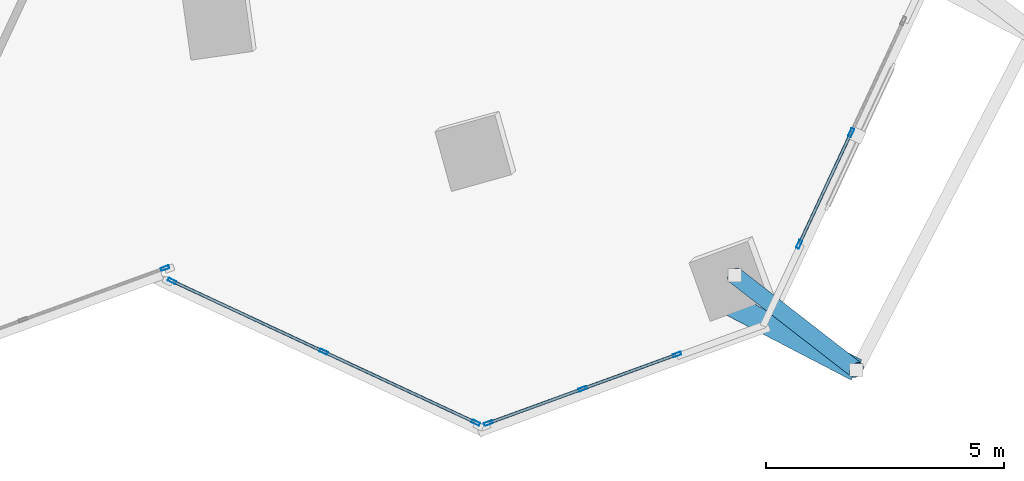
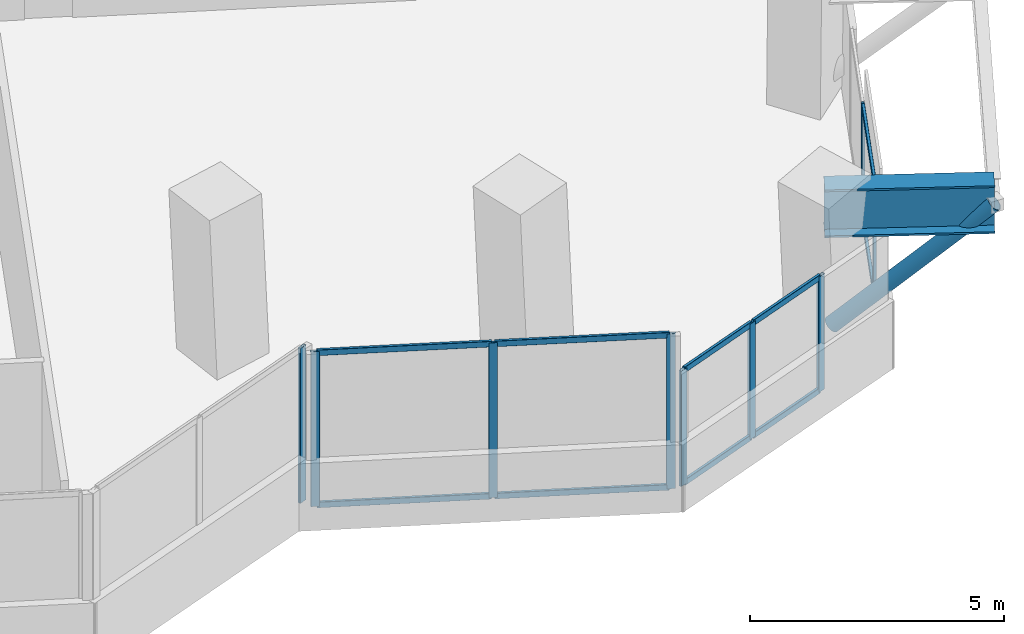
# One storey, part 7 of 21: 20 members, 1 beam, 4 elements without a shape of their own.
"""IFC4 building model written with IfcOpenShell, lengths in metres."""

from ifc_helpers import new_model, si_unit, direction, frame, origin, origin_2d, place, context, subcontext, project, spatial, hollow_rectangle, hollow_circle, i_section, extrude, source, transform, mapped, material, material_profile, profile_set, type_object, element, aggregate, save


model = new_model("IFC4")

# Units and contexts
model_context = context("Model", 3, precision=1e-05, world=origin(), true_north=direction((0.0, 1.0)))
body_context = subcontext(model_context, "Body", "Model", "MODEL_VIEW")
ifc_project = project(units=[si_unit("LENGTHUNIT", "METRE"), si_unit("AREAUNIT", "SQUARE_METRE"), si_unit("VOLUMEUNIT", "CUBIC_METRE"), si_unit("PLANEANGLEUNIT", "RADIAN"), si_unit("MASSUNIT", "GRAM", prefix="KILO")], contexts=[model_context])

# Site, building, storey
site_placement = place(None, origin())
site = spatial("IfcSite", under=ifc_project, at=site_placement, CompositionType="ELEMENT")
building_placement = place(site_placement, origin())
building = spatial("IfcBuilding", under=site, at=building_placement, Name="Torre Montelarca", CompositionType="ELEMENT")
storey_placement = place(building_placement, frame((0.0, 0.0, 162.39990234375)))
storey = spatial("IfcBuildingStorey", under=building, at=storey_placement, Name="L36", CompositionType="ELEMENT", Elevation=162.39990234375)

# Member
ifc_material_1 = material(Name="Steel ASTM A500 Grade C", Category="steel")
ifc_material_profile_1 = material_profile(ifc_material_1, hollow_circle(Radius=0.177734375, WallThickness=0.015869140625, at=origin_2d()), Name="HSS355.6X15.9", Category="steel")
ifc_profile_set_1 = profile_set([ifc_material_profile_1], Name="Steel ASTM A500 Grade C")
member_type_1 = type_object("IfcMemberType", Name="MB-BR-CHS356-EXT", PredefinedType="BRACE", material=ifc_profile_set_1)
shared_shape_1 = source(origin(), body_context, "Body", "SweptSolid", [
    extrude(hollow_circle(Radius=0.177734375, WallThickness=0.015869140625, at=origin_2d()), origin(), (0.0, 0.0, 1.0), 4.574462890625),
])
member_1_placement = place(storey_placement, frame((41.728759765625, 13.1044921875, 0.150146484375), z_axis=(0.558418942611, -0.433691324444, 0.707163432055), x_axis=(0.613381298767, 0.789786922102, 0.0)))
element("IfcMember", 1, at=member_1_placement, inside=storey, type_object=member_type_1, Name="L37 Sliding Tray Exterior Diagonal Raker Strut E1", PredefinedType="BRACE", context=body_context, shape_type="MappedRepresentation", body=[
    mapped(shared_shape_1, transform((0.0, 0.0, 0.0), scale=1.0)),
])

# Beam
ifc_material_2 = material(Name="Steel ASTM A572 Grade 50", Category="steel")
ifc_material_profile_2 = material_profile(ifc_material_2, i_section(OverallWidth=0.47998046875, OverallDepth=1.14990234375, WebThickness=0.02197265625, FlangeThickness=0.044921875, at=origin_2d()), Name="PG1150X480X22X45", Category="steel")
ifc_profile_set_2 = profile_set([ifc_material_profile_2], Name="Steel ASTM A572 Grade 50")
beam_type = type_object("IfcBeamType", Name="BM-CG-PG1400-EXT", PredefinedType="USERDEFINED", material=ifc_profile_set_2)
shared_shape_2 = source(origin(), body_context, "Body", "SweptSolid", [
    extrude(i_section(OverallWidth=0.47998046875, OverallDepth=1.14990234375, WebThickness=0.02197265625, FlangeThickness=0.044921875, at=origin_2d()), origin(), (0.0, 0.0, 1.0), 3.349853515625),
])
beam_placement = place(storey_placement, frame((41.311767578125, 12.66748046875, 3.385009765625), z_axis=(0.887005507171, -0.461758844256, 0.0), x_axis=(0.461758844256, 0.887005507171, 0.0)))
element("IfcBeam", 2, at=beam_placement, inside=storey, type_object=beam_type, Name="L36 Sliding Tray Cantilever Girder East Y=24m (FLR)", ObjectType="CANTILEVER GIRDER", PredefinedType="USERDEFINED", context=body_context, shape_type="MappedRepresentation", body=[
    mapped(shared_shape_2, transform((0.0, 0.0, 0.0), scale=1.0)),
])

# Curtain wall, member
ifc_material_3 = material(Name="Insulated low-E laminated glass", Category="glass")
curtain_wall_type = type_object("IfcCurtainWallType", Name="CW-SYS-Z2", PredefinedType="USERDEFINED", material=ifc_material_3)
curtain_wall_1_placement = place(storey_placement, origin())
curtain_wall_1 = element("IfcCurtainWall", 3, at=curtain_wall_1_placement, inside=storey, type_object=curtain_wall_type, Name="L36 Curtain Wall Run CW-T3-L36-E02-B1", ObjectType="UNITISED GLAZING", PredefinedType="USERDEFINED")
ifc_material_4 = material(Name="Anodised aluminium AA 6063-T6", Category="aluminium")
ifc_material_profile_3 = material_profile(ifc_material_4, hollow_rectangle(XDim=0.06494140625, YDim=0.179931640625, WallThickness=0.00390625, InnerFilletRadius=0.00390625, OuterFilletRadius=0.008056640625, at=origin_2d()), Name="ALU65X180X4", Category="aluminium")
ifc_profile_set_3 = profile_set([ifc_material_profile_3], Name="Anodised aluminium AA 6063-T6")
member_type_2 = type_object("IfcMemberType", Name="CWM-ALU180", PredefinedType="MULLION", material=ifc_profile_set_3)
shared_shape_3 = source(origin(), body_context, "Body", "SweptSolid", [
    extrude(hollow_rectangle(XDim=0.06494140625, YDim=0.179931640625, WallThickness=0.00390625, InnerFilletRadius=0.00390625, OuterFilletRadius=0.008056640625, at=origin_2d()), origin(), (0.0, 0.0, 1.0), 3.72021484375),
])
member_2_placement = place(storey_placement, frame((29.781982421875, 13.25537109375, 0.0), z_axis=(0.0, 0.0, 1.0), x_axis=(-0.342017799316, 0.939693473932, 0.0)))
member_2 = element("IfcMember", 4, at=member_2_placement, type_object=member_type_2, Name="CW mullion 3", PredefinedType="MULLION", context=body_context, shape_type="MappedRepresentation", body=[
    mapped(shared_shape_3, transform((0.0, 0.0, 0.0), scale=1.0)),
])
aggregate(curtain_wall_1, [member_2])

# Curtain wall, members
curtain_wall_2_placement = place(storey_placement, origin())
curtain_wall_2 = element("IfcCurtainWall", 5, at=curtain_wall_2_placement, inside=storey, type_object=curtain_wall_type, Name="L36 Curtain Wall Run CW-T3-L36-E04-B1", ObjectType="UNITISED GLAZING", PredefinedType="USERDEFINED")
member_3_placement = place(storey_placement, frame((29.9287109375, 12.986328125, 0.0), z_axis=(0.0, 0.0, 1.0), x_axis=(0.422602150764, 0.906315299534, 0.0)))
member_3 = element("IfcMember", 6, at=member_3_placement, type_object=member_type_2, Name="CW mullion 1", PredefinedType="MULLION", context=body_context, shape_type="MappedRepresentation", body=[
    mapped(shared_shape_3, transform((0.0, 0.0, 0.0), scale=1.0)),
])
member_4_placement = place(storey_placement, frame((33.113037109375, 11.50146484375, 0.0), z_axis=(0.0, 0.0, 1.0), x_axis=(0.422602150764, 0.906315299534, 0.0)))
member_4 = element("IfcMember", 7, at=member_4_placement, type_object=member_type_2, Name="CW mullion 2", PredefinedType="MULLION", context=body_context, shape_type="MappedRepresentation", body=[
    mapped(shared_shape_3, transform((0.0, 0.0, 0.0), scale=1.0)),
])
member_5_placement = place(storey_placement, frame((36.29736328125, 10.016845703125, 0.0), z_axis=(0.0, 0.0, 1.0), x_axis=(0.422602150764, 0.906315299534, 0.0)))
member_5 = element("IfcMember", 8, at=member_5_placement, type_object=member_type_2, Name="CW mullion 3", PredefinedType="MULLION", context=body_context, shape_type="MappedRepresentation", body=[
    mapped(shared_shape_3, transform((0.0, 0.0, 0.0), scale=1.0)),
])

curtain_wall_3_placement = place(storey_placement, origin())
curtain_wall_3 = element("IfcCurtainWall", 9, at=curtain_wall_3_placement, inside=storey, type_object=curtain_wall_type, Name="L36 Curtain Wall Run CW-T3-L36-E05-B1", ObjectType="UNITISED GLAZING", PredefinedType="USERDEFINED")
shared_shape_4 = source(origin(), body_context, "Body", "SweptSolid", [
    extrude(hollow_rectangle(XDim=0.06494140625, YDim=0.179931640625, WallThickness=0.00390625, InnerFilletRadius=0.00390625, OuterFilletRadius=0.008056640625, at=origin_2d()), origin(), (0.0, 0.0, 1.0), 2.775146484375),
])
member_6_placement = place(storey_placement, frame((36.564208984375, 10.005126953125, 0.0), z_axis=(0.0, 0.0, 1.0), x_axis=(-0.342015424306, 0.939694338355, 0.0)))
member_6 = element("IfcMember", 10, at=member_6_placement, type_object=member_type_2, Name="CW mullion 1", PredefinedType="MULLION", context=body_context, shape_type="MappedRepresentation", body=[
    mapped(shared_shape_4, transform((0.0, 0.0, 0.0), scale=1.0)),
])
member_7_placement = place(storey_placement, frame((38.5419921875, 10.724853515625, 0.0), z_axis=(0.0, 0.0, 1.0), x_axis=(-0.342015424306, 0.939694338355, 0.0)))
member_7 = element("IfcMember", 11, at=member_7_placement, type_object=member_type_2, Name="CW mullion 2", PredefinedType="MULLION", context=body_context, shape_type="MappedRepresentation", body=[
    mapped(shared_shape_4, transform((0.0, 0.0, 0.0), scale=1.0)),
])
member_8_placement = place(storey_placement, frame((40.519775390625, 11.444580078125, 0.0), z_axis=(0.0, 0.0, 1.0), x_axis=(-0.342015424306, 0.939694338355, 0.0)))
member_8 = element("IfcMember", 12, at=member_8_placement, type_object=member_type_2, Name="CW mullion 3", PredefinedType="MULLION", context=body_context, shape_type="MappedRepresentation", body=[
    mapped(shared_shape_4, transform((0.0, 0.0, 0.0), scale=1.0)),
])

curtain_wall_4_placement = place(storey_placement, origin())
curtain_wall_4 = element("IfcCurtainWall", 13, at=curtain_wall_4_placement, inside=storey, type_object=curtain_wall_type, Name="L36 Curtain Wall Run CW-T3-L36-E06-B1", ObjectType="UNITISED GLAZING", PredefinedType="USERDEFINED")
member_9_placement = place(storey_placement, frame((43.081787109375, 13.756103515625, 0.0), z_axis=(0.0, 0.0, 1.0), x_axis=(-0.906303146852, 0.422628212506, 0.0)))
member_9 = element("IfcMember", 14, at=member_9_placement, type_object=member_type_2, Name="CW mullion 1", PredefinedType="MULLION", context=body_context, shape_type="MappedRepresentation", body=[
    mapped(shared_shape_4, transform((0.0, 0.0, 0.0), scale=1.0)),
])
member_10_placement = place(storey_placement, frame((44.17431640625, 16.09912109375, 0.0), z_axis=(0.0, 0.0, 1.0), x_axis=(-0.906303146852, 0.422628212506, 0.0)))
member_10 = element("IfcMember", 15, at=member_10_placement, type_object=member_type_2, Name="CW mullion 2", PredefinedType="MULLION", context=body_context, shape_type="MappedRepresentation", body=[
    mapped(shared_shape_4, transform((0.0, 0.0, 0.0), scale=1.0)),
])

# Member
ifc_material_profile_4 = material_profile(ifc_material_4, hollow_rectangle(XDim=0.06494140625, YDim=0.139892578125, WallThickness=0.00390625, InnerFilletRadius=0.00390625, OuterFilletRadius=0.008056640625, at=origin_2d()), Name="ALU65X140X4", Category="aluminium")
ifc_profile_set_4 = profile_set([ifc_material_profile_4], Name="Anodised aluminium AA 6063-T6")
member_type_3 = type_object("IfcMemberType", Name="CWT-ALU140", PredefinedType="USERDEFINED", material=ifc_profile_set_4)
shared_shape_5 = source(origin(), body_context, "Body", "SweptSolid", [
    extrude(hollow_rectangle(XDim=0.06494140625, YDim=0.139892578125, WallThickness=0.00390625, InnerFilletRadius=0.00390625, OuterFilletRadius=0.008056640625, at=origin_2d()), origin(), (0.0, 0.0, 1.0), 3.448486328125),
])
member_11_placement = place(storey_placement, frame((29.958251953125, 12.97265625, 0.03271484375), z_axis=(0.906325971471, -0.422579262905, 0.0), x_axis=(0.422579262905, 0.906325971471, 0.0)))
member_11 = element("IfcMember", 16, at=member_11_placement, type_object=member_type_3, Name="CW transom 1.1", ObjectType="TRANSOM", PredefinedType="USERDEFINED", context=body_context, shape_type="MappedRepresentation", body=[
    mapped(shared_shape_5, transform((0.0, 0.0, 0.0), scale=1.0)),
])

member_12_placement = place(storey_placement, frame((29.958251953125, 12.97265625, 3.6875), z_axis=(0.906325971471, -0.422579262905, 0.0), x_axis=(0.422579262905, 0.906325971471, 0.0)))
member_12 = element("IfcMember", 17, at=member_12_placement, type_object=member_type_3, Name="CW transom 1.2", ObjectType="TRANSOM", PredefinedType="USERDEFINED", context=body_context, shape_type="MappedRepresentation", body=[
    mapped(shared_shape_5, transform((0.0, 0.0, 0.0), scale=1.0)),
])

member_13_placement = place(storey_placement, frame((33.142578125, 11.48779296875, 0.03271484375), z_axis=(0.906325971471, -0.422579262905, 0.0), x_axis=(0.422579262905, 0.906325971471, 0.0)))
member_13 = element("IfcMember", 18, at=member_13_placement, type_object=member_type_3, Name="CW transom 2.1", ObjectType="TRANSOM", PredefinedType="USERDEFINED", context=body_context, shape_type="MappedRepresentation", body=[
    mapped(shared_shape_5, transform((0.0, 0.0, 0.0), scale=1.0)),
])

member_14_placement = place(storey_placement, frame((33.142578125, 11.48779296875, 3.6875), z_axis=(0.906325971471, -0.422579262905, 0.0), x_axis=(0.422579262905, 0.906325971471, 0.0)))
member_14 = element("IfcMember", 19, at=member_14_placement, type_object=member_type_3, Name="CW transom 2.2", ObjectType="TRANSOM", PredefinedType="USERDEFINED", context=body_context, shape_type="MappedRepresentation", body=[
    mapped(shared_shape_5, transform((0.0, 0.0, 0.0), scale=1.0)),
])

aggregate(curtain_wall_2, [member_3, member_4, member_5, member_11, member_12, member_13, member_14])

shared_shape_6 = source(origin(), body_context, "Body", "SweptSolid", [
    extrude(hollow_rectangle(XDim=0.06494140625, YDim=0.139892578125, WallThickness=0.00390625, InnerFilletRadius=0.00390625, OuterFilletRadius=0.008056640625, at=origin_2d()), origin(), (0.0, 0.0, 1.0), 2.52001953125),
])
member_15_placement = place(storey_placement, frame((43.095458984375, 13.78564453125, 0.03271484375), z_axis=(0.422673314847, 0.906282113316, 0.0), x_axis=(-0.906282113316, 0.422673314847, 0.0)))
member_15 = element("IfcMember", 20, at=member_15_placement, type_object=member_type_3, Name="CW transom 1.1", ObjectType="TRANSOM", PredefinedType="USERDEFINED", context=body_context, shape_type="MappedRepresentation", body=[
    mapped(shared_shape_6, transform((0.0, 0.0, 0.0), scale=1.0)),
])

member_16_placement = place(storey_placement, frame((43.095458984375, 13.78564453125, 2.74267578125), z_axis=(0.422673314847, 0.906282113316, 0.0), x_axis=(-0.906282113316, 0.422673314847, 0.0)))
member_16 = element("IfcMember", 21, at=member_16_placement, type_object=member_type_3, Name="CW transom 1.2", ObjectType="TRANSOM", PredefinedType="USERDEFINED", context=body_context, shape_type="MappedRepresentation", body=[
    mapped(shared_shape_6, transform((0.0, 0.0, 0.0), scale=1.0)),
])

aggregate(curtain_wall_4, [member_9, member_10, member_15, member_16])

shared_shape_7 = source(origin(), body_context, "Body", "SweptSolid", [
    extrude(hollow_rectangle(XDim=0.06494140625, YDim=0.139892578125, WallThickness=0.00390625, InnerFilletRadius=0.00390625, OuterFilletRadius=0.008056640625, at=origin_2d()), origin(), (0.0, 0.0, 1.0), 2.039794921875),
])
member_17_placement = place(storey_placement, frame((36.5947265625, 10.01611328125, 0.03271484375), z_axis=(0.939713019433, 0.341964093303, 0.0), x_axis=(-0.341964093303, 0.939713019433, 0.0)))
member_17 = element("IfcMember", 22, at=member_17_placement, type_object=member_type_3, Name="CW transom 1.1", ObjectType="TRANSOM", PredefinedType="USERDEFINED", context=body_context, shape_type="MappedRepresentation", body=[
    mapped(shared_shape_7, transform((0.0, 0.0, 0.0), scale=1.0)),
])

member_18_placement = place(storey_placement, frame((36.5947265625, 10.01611328125, 2.74267578125), z_axis=(0.939713019433, 0.341964093303, 0.0), x_axis=(-0.341964093303, 0.939713019433, 0.0)))
member_18 = element("IfcMember", 23, at=member_18_placement, type_object=member_type_3, Name="CW transom 1.2", ObjectType="TRANSOM", PredefinedType="USERDEFINED", context=body_context, shape_type="MappedRepresentation", body=[
    mapped(shared_shape_7, transform((0.0, 0.0, 0.0), scale=1.0)),
])

member_19_placement = place(storey_placement, frame((38.572509765625, 10.736083984375, 0.03271484375), z_axis=(0.939713019433, 0.341964093303, 0.0), x_axis=(-0.341964093303, 0.939713019433, 0.0)))
member_19 = element("IfcMember", 24, at=member_19_placement, type_object=member_type_3, Name="CW transom 2.1", ObjectType="TRANSOM", PredefinedType="USERDEFINED", context=body_context, shape_type="MappedRepresentation", body=[
    mapped(shared_shape_7, transform((0.0, 0.0, 0.0), scale=1.0)),
])

member_20_placement = place(storey_placement, frame((38.572509765625, 10.736083984375, 2.74267578125), z_axis=(0.939713019433, 0.341964093303, 0.0), x_axis=(-0.341964093303, 0.939713019433, 0.0)))
member_20 = element("IfcMember", 25, at=member_20_placement, type_object=member_type_3, Name="CW transom 2.2", ObjectType="TRANSOM", PredefinedType="USERDEFINED", context=body_context, shape_type="MappedRepresentation", body=[
    mapped(shared_shape_7, transform((0.0, 0.0, 0.0), scale=1.0)),
])

aggregate(curtain_wall_3, [member_6, member_7, member_8, member_17, member_18, member_19, member_20])

save(model, "model.ifc")
